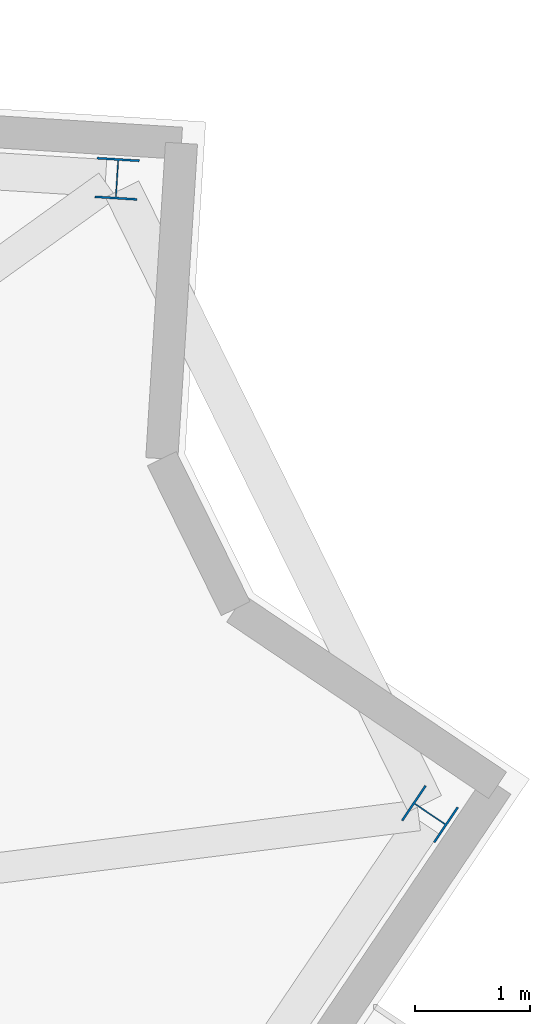
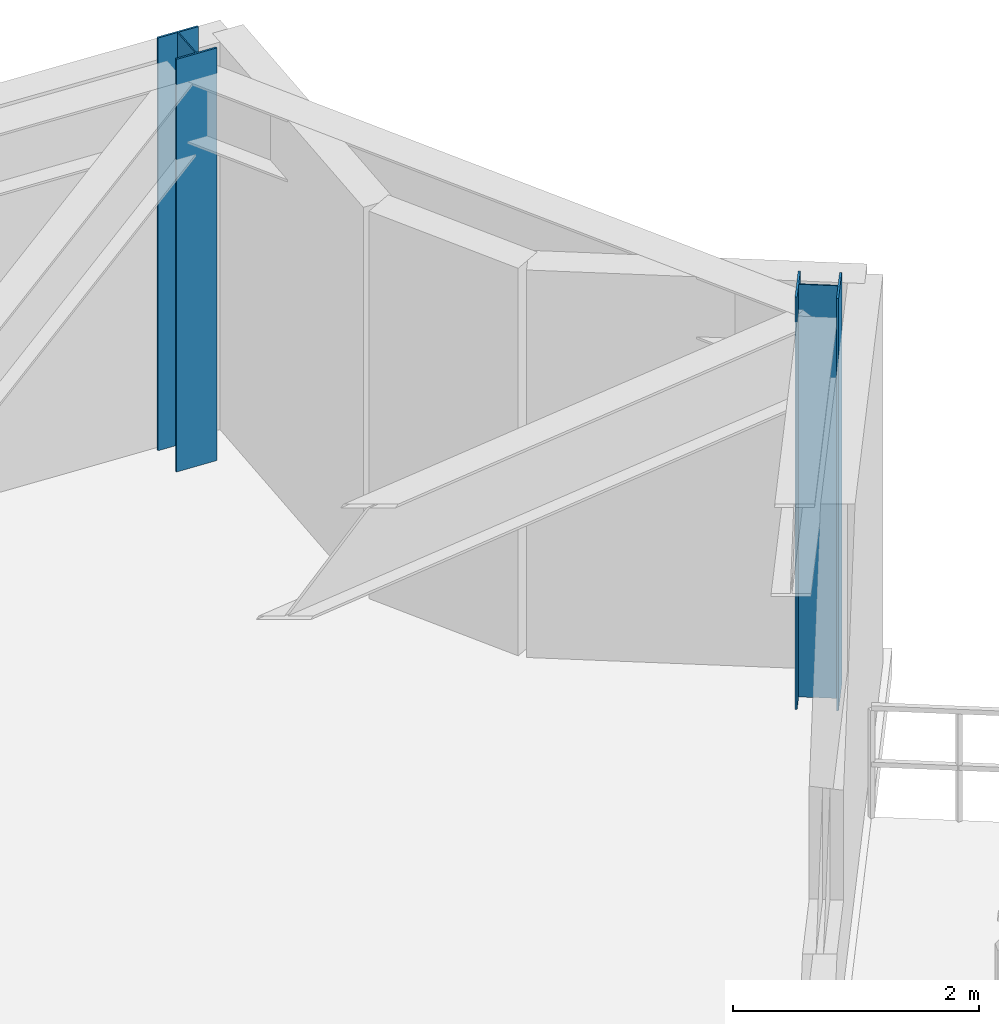
# One storey, part 3 of 10: 2 columns.
"""IFC4 building model written with IfcOpenShell, lengths in metres."""

from ifc_helpers import new_model, si_unit, direction, frame, origin, origin_2d, place, context, subcontext, project, spatial, i_section, extrude, material, material_profile, profile_set, type_object, element, save


model = new_model("IFC4")

# Units and contexts
model_context = context("Model", 3, precision=1e-05, world=origin(), true_north=direction((0.0, 1.0)))
body_context = subcontext(model_context, "Body", "Model", "MODEL_VIEW")
ifc_project = project(units=[si_unit("LENGTHUNIT", "METRE"), si_unit("AREAUNIT", "SQUARE_METRE"), si_unit("VOLUMEUNIT", "CUBIC_METRE"), si_unit("PLANEANGLEUNIT", "RADIAN"), si_unit("MASSUNIT", "GRAM", prefix="KILO")], contexts=[model_context])

# Site, building, storey
site_placement = place(None, origin())
site = spatial("IfcSite", under=ifc_project, at=site_placement, CompositionType="ELEMENT")
building_placement = place(site_placement, origin())
building = spatial("IfcBuilding", under=site, at=building_placement, Name="Apsidion Concourse Tower", CompositionType="ELEMENT")
storey_placement = place(building_placement, frame((0.0, 0.0, 310.60009765625)))
storey = spatial("IfcBuildingStorey", under=building, at=storey_placement, Name="L73", CompositionType="ELEMENT", Elevation=310.60009765625)

# Columns
ifc_material = material(Name="Structural steel ASTM A992 Grade 50", Category="steel")
ifc_material_profile = material_profile(ifc_material, i_section(OverallWidth=0.367919921875, OverallDepth=0.35595703125, WebThickness=0.01123046875, FlangeThickness=0.01806640625, at=origin_2d()), Name="W14X90")
ifc_profile_set = profile_set([ifc_material_profile], Name="Structural steel ASTM A992 Grade 50")
column_type = type_object("IfcColumnType", Name="COL-W14-90", PredefinedType="COLUMN", material=ifc_profile_set)
for number, where, z_axis, x_axis, name in (
    (1, (25.208984375, 8.83251953125, 0.0), (0.0, 0.0, 1.0), (0.559192903471, 0.829037572555, 0.0), "L73 Rotated Perimeter Column PC08"),
    (2, (22.47705078125, 14.378662109375, 0.0), (0.0, 0.0, 1.0), (-0.998081143466, 0.061919553109, 0.0), "L73 Rotated Perimeter Column PC09"),
):
    element("IfcColumn", number, at=place(storey_placement, frame(where, z_axis=z_axis, x_axis=x_axis)), inside=storey, type_object=column_type, Name=name, PredefinedType="COLUMN", context=body_context, shape_type="SweptSolid", body=[
        extrude(i_section(OverallWidth=0.367919921875, OverallDepth=0.35595703125, WebThickness=0.01123046875, FlangeThickness=0.01806640625, at=origin_2d()), origin(), (0.0, 0.0, 1.0), 4.099853515625),
    ])

save(model, "model.ifc")
